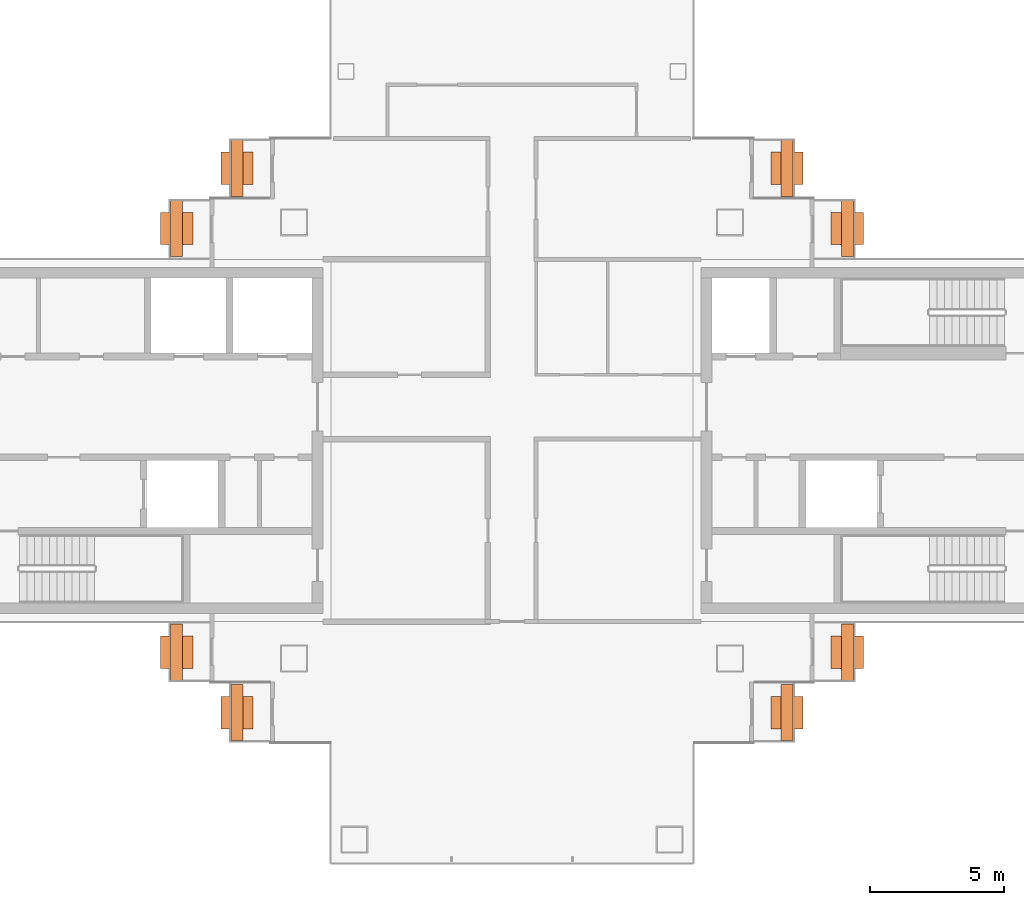
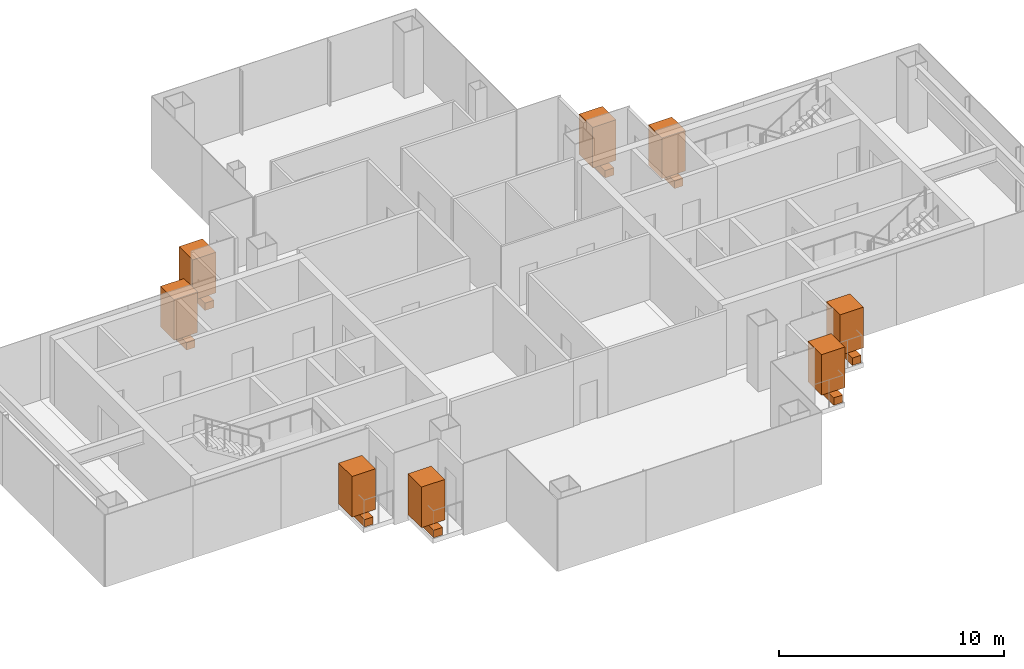
# One storey, part 17 of 17: 8 geographic elements, 8 proxies.
"""IFC4 building model written with IfcOpenShell, lengths in metres."""

from ifc_helpers import new_model, si_unit, direction, frame, origin, origin_2d, place, context, subcontext, project, spatial, rectangle, extrude, material, type_object, element, save


model = new_model("IFC4")

# Units and contexts
model_context = context("Model", 3, precision=1e-05, world=origin(), true_north=direction((0.0, 1.0)))
body_context = subcontext(model_context, "Body", "Model", "MODEL_VIEW")
ifc_project = project(units=[si_unit("LENGTHUNIT", "METRE"), si_unit("AREAUNIT", "SQUARE_METRE"), si_unit("VOLUMEUNIT", "CUBIC_METRE"), si_unit("PLANEANGLEUNIT", "RADIAN"), si_unit("MASSUNIT", "GRAM", prefix="KILO")], contexts=[model_context])

# Site, building, storey
site_placement = place(None, origin())
site = spatial("IfcSite", under=ifc_project, at=site_placement, CompositionType="ELEMENT")
building_placement = place(site_placement, origin())
building = spatial("IfcBuilding", under=site, at=building_placement, Name="Shamsa Quay Exchange Towers", CompositionType="ELEMENT")
storey_placement = place(building_placement, frame((0.0, 0.0, 198.300048828125)))
storey = spatial("IfcBuildingStorey", under=building, at=storey_placement, Name="L47", CompositionType="ELEMENT", Elevation=198.300048828125)

# Proxies
ifc_material_1 = material(Name="Reinforced concrete C30/37, black glass-fibre faced", Category="concrete")
building_element_proxy_type = type_object("IfcBuildingElementProxyType", Name="BALCONY PLANTER", PredefinedType="USERDEFINED", material=ifc_material_1)
for number, where, z_axis, x_axis, name in (
    (1, (23.5048828125, 10.14404296875, 0.0), (0.0, 0.0, 1.0), (0.0, -1.0, 0.0), "PLANTER T2-PKEN L47"),
    (2, (21.2548828125, 7.89404296875, 0.0), (0.0, 0.0, 1.0), (0.0, -1.0, 0.0), "PLANTER T2-PKEN L47"),
    (3, (43.9951171875, 10.14404296875, 0.0), (0.0, 0.0, 1.0), (0.0, 1.0, 0.0), "PLANTER T2-PKES L47"),
    (4, (46.2451171875, 7.89404296875, 0.0), (0.0, 0.0, 1.0), (0.0, 1.0, 0.0), "PLANTER T2-PKES L47"),
    (5, (21.2548828125, -7.89404296875, 0.0), (0.0, 0.0, 1.0), (0.0, -1.0, 0.0), "PLANTER T2-PKWN L47"),
    (6, (23.5048828125, -10.14404296875, 0.0), (0.0, 0.0, 1.0), (0.0, -1.0, 0.0), "PLANTER T2-PKWN L47"),
    (7, (43.9951171875, -10.14404296875, 0.0), (0.0, 0.0, 1.0), (0.0, 1.0, 0.0), "PLANTER T2-PKWS L47"),
    (8, (46.2451171875, -7.89404296875, 0.0), (0.0, 0.0, 1.0), (0.0, 1.0, 0.0), "PLANTER T2-PKWS L47"),
):
    element("IfcBuildingElementProxy", number, at=place(storey_placement, frame(where, z_axis=z_axis, x_axis=x_axis)), inside=storey, type_object=building_element_proxy_type, Name=name, ObjectType="PLANTER", PredefinedType="USERDEFINED", context=body_context, shape_type="SweptSolid", body=[
        extrude(rectangle(XDim=2.092041015625, YDim=0.449951171875, at=origin_2d()), origin(), (0.0, 0.0, 1.0), 0.39990234375),
    ])

# Geographic elements
ifc_material_2 = material(Name="Planting")
geographic_element_type = type_object("IfcGeographicElementType", Name="BALCONY TREE", PredefinedType="USERDEFINED", material=ifc_material_2)
for number, where, z_axis, x_axis, name in (
    (9, (23.5048828125, 10.14404296875, 0.39990234375), (0.0, 0.0, 1.0), (0.0, -1.0, 0.0), "TREE T2-PKEN L47"),
    (10, (21.2548828125, 7.89404296875, 0.39990234375), (0.0, 0.0, 1.0), (0.0, -1.0, 0.0), "TREE T2-PKEN L47"),
    (11, (43.9951171875, 10.14404296875, 0.39990234375), (0.0, 0.0, 1.0), (0.0, 1.0, 0.0), "TREE T2-PKES L47"),
    (12, (46.2451171875, 7.89404296875, 0.39990234375), (0.0, 0.0, 1.0), (0.0, 1.0, 0.0), "TREE T2-PKES L47"),
    (13, (21.2548828125, -7.89404296875, 0.39990234375), (0.0, 0.0, 1.0), (0.0, -1.0, 0.0), "TREE T2-PKWN L47"),
    (14, (23.5048828125, -10.14404296875, 0.39990234375), (0.0, 0.0, 1.0), (0.0, -1.0, 0.0), "TREE T2-PKWN L47"),
    (15, (43.9951171875, -10.14404296875, 0.39990234375), (0.0, 0.0, 1.0), (0.0, 1.0, 0.0), "TREE T2-PKWS L47"),
    (16, (46.2451171875, -7.89404296875, 0.39990234375), (0.0, 0.0, 1.0), (0.0, 1.0, 0.0), "TREE T2-PKWS L47"),
):
    element("IfcGeographicElement", number, at=place(storey_placement, frame(where, z_axis=z_axis, x_axis=x_axis)), inside=storey, type_object=geographic_element_type, Name=name, ObjectType="TREE", PredefinedType="USERDEFINED", context=body_context, shape_type="SweptSolid", body=[
        extrude(rectangle(XDim=1.199951171875, YDim=1.199951171875, at=origin_2d()), origin(), (0.0, 0.0, 1.0), 2.199951171875),
    ])

save(model, "model.ifc")
